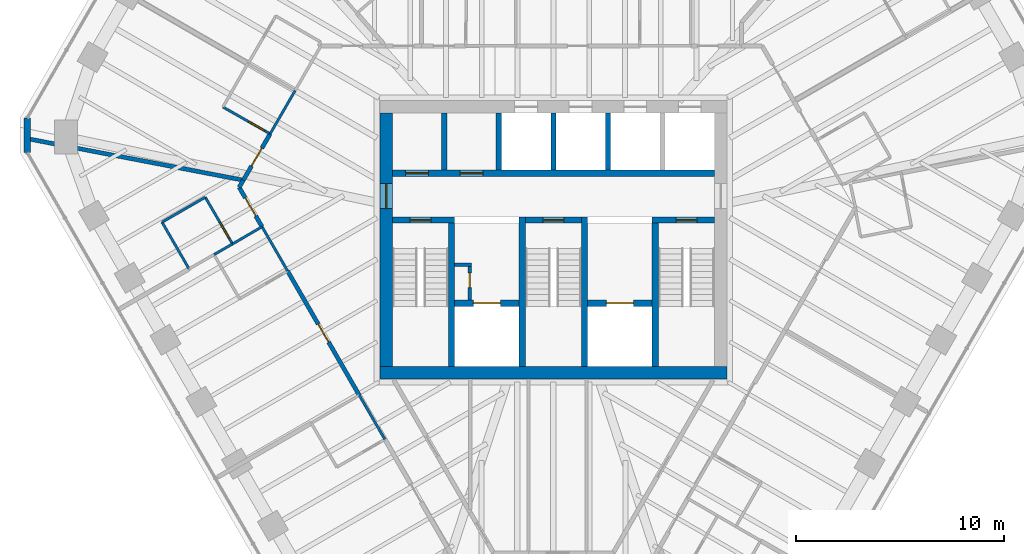
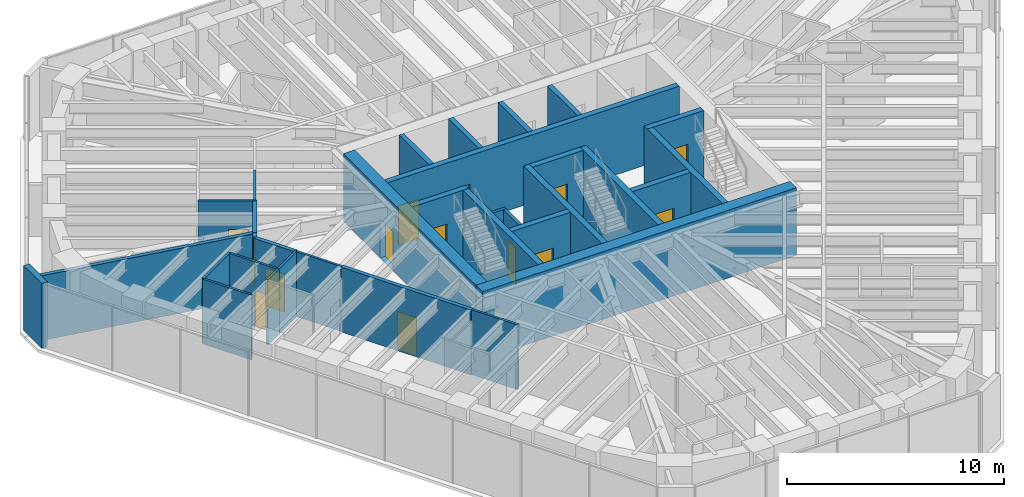
# One storey, part 10 of 14: 33 walls, 14 doors, 14 openings.
"""IFC4 building model written with IfcOpenShell, lengths in metres."""

from ifc_helpers import new_model, si_unit, direction, frame, frame_2d, origin, place, context, subcontext, project, spatial, rectangle, extrude, material, layer, layer_set, type_object, element, fill, save


model = new_model("IFC4")

# Units and contexts
model_context = context("Model", 3, precision=1e-05, world=origin(), true_north=direction((0.0, 1.0)))
body_context = subcontext(model_context, "Body", "Model", "MODEL_VIEW")
ifc_project = project(units=[si_unit("LENGTHUNIT", "METRE"), si_unit("AREAUNIT", "SQUARE_METRE"), si_unit("VOLUMEUNIT", "CUBIC_METRE"), si_unit("PLANEANGLEUNIT", "RADIAN"), si_unit("MASSUNIT", "GRAM", prefix="KILO")], contexts=[model_context])

# Site, building, storey
site_placement = place(None, origin())
site = spatial("IfcSite", under=ifc_project, at=site_placement, CompositionType="ELEMENT")
building_placement = place(site_placement, origin())
building = spatial("IfcBuilding", under=site, at=building_placement, Name="Sandreach Pilgrim Tower", CompositionType="ELEMENT")
storey_placement = place(building_placement, frame((0.0, 0.0, 268.39990234375)))
storey = spatial("IfcBuildingStorey", under=building, at=storey_placement, Name="L67", CompositionType="ELEMENT", Elevation=268.39990234375)

# Walls
ifc_material_1 = material(Name="Moisture-resistant gypsum board on steel studs", Category="steel")
ifc_layer_1 = layer(ifc_material_1, 0.1201171875)
ifc_layer_set_1 = layer_set([ifc_layer_1], Name="Bathroom partition 120")
wall_type_1 = type_object("IfcWallType", Name="Bathroom partition 120", PredefinedType="PARTITIONING", material=ifc_layer_set_1)
wall_1_placement = place(storey_placement, frame((-18.830078125, 0.85009765625, 0.0), z_axis=(0.0, 0.0, 1.0), x_axis=(0.50025099007, -0.865880446098, 0.0)))
element("IfcWall", 1, at=wall_1_placement, inside=storey, type_object=wall_type_1, Name="Bathroom partition L67-004", PredefinedType="PARTITIONING", context=body_context, shape_type="SweptSolid", body=[
    extrude(rectangle(XDim=2.598876953125, YDim=0.1201171875, at=frame_2d((1.29931640625, 0.0))), origin(), (0.0, 0.0, 1.0), 3.64013671875),
])
wall_2_placement = place(storey_placement, frame((-16.75, 2.050048828125, 0.0), z_axis=(0.0, 0.0, 1.0), x_axis=(-0.866202511239, -0.499693115345, 0.0)))
element("IfcWall", 2, at=wall_2_placement, inside=storey, type_object=wall_type_1, Name="Bathroom partition L67-007", PredefinedType="PARTITIONING", context=body_context, shape_type="SweptSolid", body=[
    extrude(rectangle(XDim=2.4013671875, YDim=0.1201171875, at=frame_2d((1.20068359375, 0.0))), origin(), (0.0, 0.0, 1.0), 3.64013671875),
])
wall_3_placement = place(storey_placement, frame((-16.330078125, -0.7099609375, 0.0), z_axis=(0.0, 0.0, 1.0), x_axis=(0.867671417222, 0.497138121387, 0.0)))
element("IfcWall", 3, at=wall_3_placement, inside=storey, type_object=wall_type_1, Name="Bathroom partition L67-008", PredefinedType="PARTITIONING", context=body_context, shape_type="SweptSolid", body=[
    extrude(rectangle(XDim=1.02587890625, YDim=0.1201171875, at=frame_2d((0.512939453125, 0.0))), origin(), (0.0, 0.0, 1.0), 3.64013671875),
])

# Wall, opening, door
wall_4_placement = place(storey_placement, frame((-15.89990234375, 6.389892578125, 0.0), z_axis=(0.0, 0.0, 1.0), x_axis=(0.869431908012, -0.494052787999, 0.0)))
wall_4 = element("IfcWall", 4, at=wall_4_placement, inside=storey, type_object=wall_type_1, Name="Bathroom partition L67-011", PredefinedType="PARTITIONING", context=body_context, shape_type="SweptSolid", body=[
    extrude(rectangle(XDim=2.610595703125, YDim=0.1201171875, at=frame_2d((1.30517578125, 0.0))), origin(), (0.0, 0.0, 1.0), 3.64013671875),
])
opening_1_placement = place(wall_4_placement, frame((1.410888671875, 0.0, 0.0)))
opening_1 = element("IfcOpeningElement", 5, at=opening_1_placement, cuts=wall_4, Name="Opening D09-16B", PredefinedType="OPENING", context=body_context, shape_type="SweptSolid", body=[
    extrude(rectangle(XDim=0.89990234375, YDim=2.030029296875, at=frame_2d((0.449951171875, 1.01513671875))), frame((0.0, 0.06005859375, 0.0), z_axis=(0.0, -1.0, 0.0), x_axis=(1.0, 0.0, 0.0)), (0.0, 0.0, 1.0), 0.1201171875),
])
ifc_material_2 = material(Name="Timber door, steel frame", Category="steel")
door_type_1 = type_object("IfcDoorType", Name="Bathroom door", OperationType="SINGLE_SWING_LEFT", PredefinedType="DOOR", material=ifc_material_2)
door_1_placement = place(opening_1_placement, origin())
door_1 = element("IfcDoor", 6, at=door_1_placement, inside=storey, type_object=door_type_1, Name="Door 6716B", OperationType="SINGLE_SWING_RIGHT", OverallHeight=2.030029296875, OverallWidth=0.89990234375, PredefinedType="DOOR", context=body_context, shape_type="SweptSolid", body=[
    extrude(rectangle(XDim=0.89990234375, YDim=2.030029296875, at=frame_2d((0.449951171875, 1.01513671875))), frame((0.0, 0.02490234375, 0.0), z_axis=(0.0, -1.0, 0.0), x_axis=(1.0, 0.0, 0.0)), (0.0, 0.0, 1.0), 0.050048828125),
])
fill(opening_1, door_1)

wall_5_placement = place(storey_placement, frame((-15.43994140625, -0.199951171875, 0.0), z_axis=(0.0, 0.0, 1.0), x_axis=(-0.503171227198, 0.864186736834, 0.0)))
wall_5 = element("IfcWall", 7, at=wall_5_placement, inside=storey, type_object=wall_type_1, Name="Bathroom partition L67-012", PredefinedType="PARTITIONING", context=body_context, shape_type="SweptSolid", body=[
    extrude(rectangle(XDim=2.603515625, YDim=0.1201171875, at=frame_2d((1.3017578125, 0.0))), origin(), (0.0, 0.0, 1.0), 3.64013671875),
])
opening_2_placement = place(wall_5_placement, frame((0.300048828125, 0.0, 0.0)))
opening_2 = element("IfcOpeningElement", 8, at=opening_2_placement, cuts=wall_5, Name="Opening D09-15B", PredefinedType="OPENING", context=body_context, shape_type="SweptSolid", body=[
    extrude(rectangle(XDim=0.89990234375, YDim=2.030029296875, at=frame_2d((0.449951171875, 1.01513671875))), frame((0.0, 0.06005859375, 0.0), z_axis=(0.0, -1.0, 0.0), x_axis=(1.0, 0.0, 0.0)), (0.0, 0.0, 1.0), 0.1201171875),
])
door_2_placement = place(opening_2_placement, origin())
door_2 = element("IfcDoor", 9, at=door_2_placement, inside=storey, type_object=door_type_1, Name="Door 6715B", OperationType="SINGLE_SWING_LEFT", OverallHeight=2.030029296875, OverallWidth=0.89990234375, PredefinedType="DOOR", context=body_context, shape_type="SweptSolid", body=[
    extrude(rectangle(XDim=0.89990234375, YDim=2.030029296875, at=frame_2d((0.449951171875, 1.01513671875))), frame((0.0, 0.02490234375, 0.0), z_axis=(0.0, -1.0, 0.0), x_axis=(1.0, 0.0, 0.0)), (0.0, 0.0, 1.0), 0.050048828125),
])
fill(opening_2, door_2)

# Walls
wall_6_placement = place(storey_placement, frame((-15.43994140625, -0.199951171875, 0.0), z_axis=(0.0, 0.0, 1.0), x_axis=(0.863304753898, 0.504682971673, 0.0)))
element("IfcWall", 10, at=wall_6_placement, inside=storey, type_object=wall_type_1, Name="Bathroom partition L67-013", PredefinedType="PARTITIONING", context=body_context, shape_type="SweptSolid", body=[
    extrude(rectangle(XDim=1.644775390625, YDim=0.1201171875, at=frame_2d((0.822265625, 0.0))), origin(), (0.0, 0.0, 1.0), 3.64013671875),
])
wall_7_placement = place(storey_placement, frame((-14.02001953125, 0.6298828125, 0.0), z_axis=(0.0, 0.0, 1.0), x_axis=(0.500089055364, -0.86597398154, 0.0)))
element("IfcWall", 11, at=wall_7_placement, inside=storey, type_object=wall_type_1, Name="Bathroom partition L67-020", PredefinedType="PARTITIONING", context=body_context, shape_type="SweptSolid", body=[
    extrude(rectangle(XDim=2.45947265625, YDim=0.1201171875, at=frame_2d((1.229736328125, 0.0))), origin(), (0.0, 0.0, 1.0), 3.64013671875),
])
wall_8_placement = place(storey_placement, frame((-13.6298828125, 5.10009765625, 0.0), z_axis=(0.0, 0.0, 1.0), x_axis=(0.499737123639, 0.866177122335, 0.0)))
element("IfcWall", 12, at=wall_8_placement, inside=storey, type_object=wall_type_1, Name="Bathroom partition L67-021", PredefinedType="PARTITIONING", context=body_context, shape_type="SweptSolid", body=[
    extrude(rectangle(XDim=2.401123046875, YDim=0.1201171875, at=frame_2d((1.20068359375, 0.0))), origin(), (0.0, 0.0, 1.0), 3.64013671875),
])
wall_9_placement = place(storey_placement, frame((-9.340087890625, -7.47998046875, 0.0), z_axis=(0.0, 0.0, 1.0), x_axis=(0.501813488763, -0.864975850817, 0.0)))
element("IfcWall", 13, at=wall_9_placement, inside=storey, type_object=wall_type_1, Name="Bathroom partition L67-034", PredefinedType="PARTITIONING", context=body_context, shape_type="SweptSolid", body=[
    extrude(rectangle(XDim=2.451171875, YDim=0.1201171875, at=frame_2d((1.2255859375, 0.0))), origin(), (0.0, 0.0, 1.0), 3.64013671875),
])
ifc_material_3 = material(Name="Concrete 10000 psi", Category="concrete")
ifc_layer_2 = layer(ifc_material_3, 0.300048828125)
ifc_layer_set_2 = layer_set([ifc_layer_2], Name="Core inner wall 300")
wall_type_2 = type_object("IfcWallType", Name="Core inner wall 300", PredefinedType="SHEAR", material=ifc_layer_set_2)
for number, where, z_axis, x_axis, name in (
    (14, (-4.89990234375, -6.10009765625, 0.0), (0.0, 0.0, 1.0), (0.0, 1.0, 0.0), "Core wall I0 L67"),
    (15, (-1.5, -6.10009765625, 0.0), (0.0, 0.0, 1.0), (0.0, 1.0, 0.0), "Core wall I1 L67"),
    (16, (1.5, -6.10009765625, 0.0), (0.0, 0.0, 1.0), (0.0, 1.0, 0.0), "Core wall I2 L67"),
    (17, (4.89990234375, -6.10009765625, 0.0), (0.0, 0.0, 1.0), (0.0, 1.0, 0.0), "Core wall I3 L67"),
):
    element("IfcWall", number, at=place(storey_placement, frame(where, z_axis=z_axis, x_axis=x_axis)), inside=storey, type_object=wall_type_2, Name=name, PredefinedType="SHEAR", context=body_context, shape_type="SweptSolid", body=[
        extrude(rectangle(XDim=7.2001953125, YDim=0.300048828125, at=frame_2d((3.60009765625, 0.0))), origin(), (0.0, 0.0, 1.0), 3.800048828125),
    ])

# Wall, opening, door
wall_10_placement = place(storey_placement, frame((-7.75, 0.949951171875, 0.0), z_axis=(0.0, 0.0, 1.0), x_axis=(1.0, 0.0, 0.0)))
wall_10 = element("IfcWall", 18, at=wall_10_placement, inside=storey, type_object=wall_type_2, Name="Core wall SN1 L67", PredefinedType="SHEAR", context=body_context, shape_type="SweptSolid", body=[
    extrude(rectangle(XDim=3.0, YDim=0.300048828125, at=frame_2d((1.5, 0.0))), origin(), (0.0, 0.0, 1.0), 3.800048828125),
])
opening_3_placement = place(wall_10_placement, frame((0.85009765625, 0.0, 0.0)))
opening_3 = element("IfcOpeningElement", 19, at=opening_3_placement, cuts=wall_10, Name="Opening D10S-ST1", PredefinedType="OPENING", context=body_context, shape_type="SweptSolid", body=[
    extrude(rectangle(XDim=1.0, YDim=2.199951171875, at=frame_2d((0.5, 1.10009765625))), frame((0.0, 0.14990234375, 0.0), z_axis=(0.0, -1.0, 0.0), x_axis=(1.0, 0.0, 0.0)), (0.0, 0.0, 1.0), 0.300048828125),
])
ifc_material_4 = material(Name="Steel door and frame", Category="steel")
door_type_2 = type_object("IfcDoorType", Name="Stair door", OperationType="SINGLE_SWING_LEFT", PredefinedType="DOOR", material=ifc_material_4)
door_3_placement = place(opening_3_placement, origin())
door_3 = element("IfcDoor", 20, at=door_3_placement, inside=storey, type_object=door_type_2, Name="Stair door ST1 L67", OperationType="SINGLE_SWING_LEFT", OverallHeight=2.199951171875, OverallWidth=1.0, PredefinedType="DOOR", context=body_context, shape_type="SweptSolid", body=[
    extrude(rectangle(XDim=1.0, YDim=2.199951171875, at=frame_2d((0.5, 1.10009765625))), frame((0.0, 0.02490234375, 0.0), z_axis=(0.0, -1.0, 0.0), x_axis=(1.0, 0.0, 0.0)), (0.0, 0.0, 1.0), 0.050048828125),
])
fill(opening_3, door_3)

wall_11_placement = place(storey_placement, frame((-1.35009765625, 0.949951171875, 0.0), z_axis=(0.0, 0.0, 1.0), x_axis=(1.0, 0.0, 0.0)))
wall_11 = element("IfcWall", 21, at=wall_11_placement, inside=storey, type_object=wall_type_2, Name="Core wall SN3 L67", PredefinedType="SHEAR", context=body_context, shape_type="SweptSolid", body=[
    extrude(rectangle(XDim=2.7001953125, YDim=0.300048828125, at=frame_2d((1.35009765625, 0.0))), origin(), (0.0, 0.0, 1.0), 3.800048828125),
])
opening_4_placement = place(wall_11_placement, frame((0.85009765625, 0.0, 0.0)))
opening_4 = element("IfcOpeningElement", 22, at=opening_4_placement, cuts=wall_11, Name="Opening D10S-ST3", PredefinedType="OPENING", context=body_context, shape_type="SweptSolid", body=[
    extrude(rectangle(XDim=1.0, YDim=2.199951171875, at=frame_2d((0.5, 1.10009765625))), frame((0.0, 0.14990234375, 0.0), z_axis=(0.0, -1.0, 0.0), x_axis=(1.0, 0.0, 0.0)), (0.0, 0.0, 1.0), 0.300048828125),
])
door_4_placement = place(opening_4_placement, origin())
door_4 = element("IfcDoor", 23, at=door_4_placement, inside=storey, type_object=door_type_2, Name="Stair door ST3 L67", OperationType="SINGLE_SWING_LEFT", OverallHeight=2.199951171875, OverallWidth=1.0, PredefinedType="DOOR", context=body_context, shape_type="SweptSolid", body=[
    extrude(rectangle(XDim=1.0, YDim=2.199951171875, at=frame_2d((0.5, 1.10009765625))), frame((0.0, 0.02490234375, 0.0), z_axis=(0.0, -1.0, 0.0), x_axis=(1.0, 0.0, 0.0)), (0.0, 0.0, 1.0), 0.050048828125),
])
fill(opening_4, door_4)

wall_12_placement = place(storey_placement, frame((4.75, 0.949951171875, 0.0), z_axis=(0.0, 0.0, 1.0), x_axis=(1.0, 0.0, 0.0)))
wall_12 = element("IfcWall", 24, at=wall_12_placement, inside=storey, type_object=wall_type_2, Name="Core wall SN2 L67", PredefinedType="SHEAR", context=body_context, shape_type="SweptSolid", body=[
    extrude(rectangle(XDim=3.0, YDim=0.300048828125, at=frame_2d((1.5, 0.0))), origin(), (0.0, 0.0, 1.0), 3.800048828125),
])
opening_5_placement = place(wall_12_placement, frame((1.14990234375, 0.0, 0.0)))
opening_5 = element("IfcOpeningElement", 25, at=opening_5_placement, cuts=wall_12, Name="Opening D10S-ST2", PredefinedType="OPENING", context=body_context, shape_type="SweptSolid", body=[
    extrude(rectangle(XDim=1.0, YDim=2.199951171875, at=frame_2d((0.5, 1.10009765625))), frame((0.0, 0.14990234375, 0.0), z_axis=(0.0, -1.0, 0.0), x_axis=(1.0, 0.0, 0.0)), (0.0, 0.0, 1.0), 0.300048828125),
])
door_5_placement = place(opening_5_placement, origin())
door_5 = element("IfcDoor", 26, at=door_5_placement, inside=storey, type_object=door_type_2, Name="Stair door ST2 L67", OperationType="SINGLE_SWING_RIGHT", OverallHeight=2.199951171875, OverallWidth=1.0, PredefinedType="DOOR", context=body_context, shape_type="SweptSolid", body=[
    extrude(rectangle(XDim=1.0, YDim=2.199951171875, at=frame_2d((0.5, 1.10009765625))), frame((0.0, 0.02490234375, 0.0), z_axis=(0.0, -1.0, 0.0), x_axis=(1.0, 0.0, 0.0)), (0.0, 0.0, 1.0), 0.050048828125),
])
fill(opening_5, door_5)

wall_13_placement = place(storey_placement, frame((-4.75, -3.050048828125, 0.0), z_axis=(0.0, 0.0, 1.0), x_axis=(1.0, 0.0, 0.0)))
wall_13 = element("IfcWall", 27, at=wall_13_placement, inside=storey, type_object=wall_type_2, Name="Core wall FL1 L67", PredefinedType="SHEAR", context=body_context, shape_type="SweptSolid", body=[
    extrude(rectangle(XDim=3.10009765625, YDim=0.300048828125, at=frame_2d((1.550048828125, 0.0))), origin(), (0.0, 0.0, 1.0), 3.800048828125),
])
opening_6_placement = place(wall_13_placement, frame((0.89990234375, 0.0, 0.0)))
opening_6 = element("IfcOpeningElement", 28, at=opening_6_placement, cuts=wall_13, Name="Opening LD13", PredefinedType="OPENING", context=body_context, shape_type="SweptSolid", body=[
    extrude(rectangle(XDim=1.300048828125, YDim=2.10009765625, at=frame_2d((0.64990234375, 1.050048828125))), frame((0.0, 0.14990234375, 0.0), z_axis=(0.0, -1.0, 0.0), x_axis=(1.0, 0.0, 0.0)), (0.0, 0.0, 1.0), 0.300048828125),
])
ifc_material_5 = material(Name="Steel door and frame", Category="steel")
door_type_3 = type_object("IfcDoorType", Name="Fire service lift landing door", OperationType="DOUBLE_DOOR_SLIDING", PredefinedType="DOOR", material=ifc_material_5)
door_6_placement = place(opening_6_placement, origin())
door_6 = element("IfcDoor", 29, at=door_6_placement, inside=storey, type_object=door_type_3, Name="Lift landing door FS1 L67", OperationType="DOUBLE_DOOR_SLIDING", OverallHeight=2.10009765625, OverallWidth=1.300048828125, PredefinedType="DOOR", context=body_context, shape_type="SweptSolid", body=[
    extrude(rectangle(XDim=1.300048828125, YDim=2.10009765625, at=frame_2d((0.64990234375, 1.050048828125))), frame((0.0, 0.02490234375, 0.0), z_axis=(0.0, -1.0, 0.0), x_axis=(1.0, 0.0, 0.0)), (0.0, 0.0, 1.0), 0.050048828125),
])
fill(opening_6, door_6)

wall_14_placement = place(storey_placement, frame((1.64990234375, -3.050048828125, 0.0), z_axis=(0.0, 0.0, 1.0), x_axis=(1.0, 0.0, 0.0)))
wall_14 = element("IfcWall", 30, at=wall_14_placement, inside=storey, type_object=wall_type_2, Name="Core wall FL2 L67", PredefinedType="SHEAR", context=body_context, shape_type="SweptSolid", body=[
    extrude(rectangle(XDim=3.10009765625, YDim=0.300048828125, at=frame_2d((1.550048828125, 0.0))), origin(), (0.0, 0.0, 1.0), 3.800048828125),
])
opening_7_placement = place(wall_14_placement, frame((0.89990234375, 0.0, 0.0)))
opening_7 = element("IfcOpeningElement", 31, at=opening_7_placement, cuts=wall_14, Name="Opening LD13", PredefinedType="OPENING", context=body_context, shape_type="SweptSolid", body=[
    extrude(rectangle(XDim=1.300048828125, YDim=2.10009765625, at=frame_2d((0.64990234375, 1.050048828125))), frame((0.0, 0.14990234375, 0.0), z_axis=(0.0, -1.0, 0.0), x_axis=(1.0, 0.0, 0.0)), (0.0, 0.0, 1.0), 0.300048828125),
])
door_7_placement = place(opening_7_placement, origin())
door_7 = element("IfcDoor", 32, at=door_7_placement, inside=storey, type_object=door_type_3, Name="Lift landing door FS2 L67", OperationType="DOUBLE_DOOR_SLIDING", OverallHeight=2.10009765625, OverallWidth=1.300048828125, PredefinedType="DOOR", context=body_context, shape_type="SweptSolid", body=[
    extrude(rectangle(XDim=1.300048828125, YDim=2.10009765625, at=frame_2d((0.64990234375, 1.050048828125))), frame((0.0, 0.02490234375, 0.0), z_axis=(0.0, -1.0, 0.0), x_axis=(1.0, 0.0, 0.0)), (0.0, 0.0, 1.0), 0.050048828125),
])
fill(opening_7, door_7)

# Wall, openings, doors
wall_15_placement = place(storey_placement, frame((-7.75, 3.199951171875, 0.0), z_axis=(0.0, 0.0, 1.0), x_axis=(1.0, 0.0, 0.0)))
wall_15 = element("IfcWall", 33, at=wall_15_placement, inside=storey, type_object=wall_type_2, Name="Core wall PN L67", PredefinedType="SHEAR", context=body_context, shape_type="SweptSolid", body=[
    extrude(rectangle(XDim=15.5, YDim=0.300048828125, at=frame_2d((7.75, 0.0))), origin(), (0.0, 0.0, 1.0), 3.800048828125),
])
opening_8_placement = place(wall_15_placement, frame((0.637451171875, 0.0, 0.0)))
opening_8 = element("IfcOpeningElement", 34, at=opening_8_placement, cuts=wall_15, Name="Opening D11L", PredefinedType="OPENING", context=body_context, shape_type="SweptSolid", body=[
    extrude(rectangle(XDim=1.10009765625, YDim=2.199951171875, at=frame_2d((0.550048828125, 1.10009765625))), frame((0.0, 0.14990234375, 0.0), z_axis=(0.0, -1.0, 0.0), x_axis=(1.0, 0.0, 0.0)), (0.0, 0.0, 1.0), 0.300048828125),
])
opening_9_placement = place(wall_15_placement, frame((3.262451171875, 0.0, 0.0)))
opening_9 = element("IfcOpeningElement", 35, at=opening_9_placement, cuts=wall_15, Name="Opening D11L", PredefinedType="OPENING", context=body_context, shape_type="SweptSolid", body=[
    extrude(rectangle(XDim=1.10009765625, YDim=2.199951171875, at=frame_2d((0.550048828125, 1.10009765625))), frame((0.0, 0.14990234375, 0.0), z_axis=(0.0, -1.0, 0.0), x_axis=(1.0, 0.0, 0.0)), (0.0, 0.0, 1.0), 0.300048828125),
])
ifc_material_6 = material(Name="Steel door and frame, smoke seals", Category="steel")
door_type_4 = type_object("IfcDoorType", Name="Core room door", OperationType="SINGLE_SWING_LEFT", PredefinedType="DOOR", material=ifc_material_6)
door_8_placement = place(opening_8_placement, origin())
door_8 = element("IfcDoor", 36, at=door_8_placement, inside=storey, type_object=door_type_4, Name="Door butler pantry 67K1", OperationType="SINGLE_SWING_LEFT", OverallHeight=2.199951171875, OverallWidth=1.10009765625, PredefinedType="DOOR", context=body_context, shape_type="SweptSolid", body=[
    extrude(rectangle(XDim=1.10009765625, YDim=2.199951171875, at=frame_2d((0.550048828125, 1.10009765625))), frame((0.0, 0.02490234375, 0.0), z_axis=(0.0, -1.0, 0.0), x_axis=(1.0, 0.0, 0.0)), (0.0, 0.0, 1.0), 0.050048828125),
])
fill(opening_8, door_8)
door_9_placement = place(opening_9_placement, origin())
door_9 = element("IfcDoor", 37, at=door_9_placement, inside=storey, type_object=door_type_4, Name="Door storage room 67K2", OperationType="SINGLE_SWING_LEFT", OverallHeight=2.199951171875, OverallWidth=1.10009765625, PredefinedType="DOOR", context=body_context, shape_type="SweptSolid", body=[
    extrude(rectangle(XDim=1.10009765625, YDim=2.199951171875, at=frame_2d((0.550048828125, 1.10009765625))), frame((0.0, 0.02490234375, 0.0), z_axis=(0.0, -1.0, 0.0), x_axis=(1.0, 0.0, 0.0)), (0.0, 0.0, 1.0), 0.050048828125),
])
fill(opening_9, door_9)

# Wall
ifc_material_7 = material(Name="Concrete 10000 psi", Category="concrete")
ifc_layer_3 = layer(ifc_material_7, 0.60009765625)
ifc_layer_set_3 = layer_set([ifc_layer_3], Name="Core wall 600")
wall_type_3 = type_object("IfcWallType", Name="Core wall 600", PredefinedType="SHEAR", material=ifc_layer_set_3)
wall_16_placement = place(storey_placement, frame((-8.35009765625, -6.39990234375, 0.0), z_axis=(0.0, 0.0, 1.0), x_axis=(1.0, 0.0, 0.0)))
element("IfcWall", 38, at=wall_16_placement, inside=storey, type_object=wall_type_3, Name="Core wall S L67", PredefinedType="SHEAR", context=body_context, shape_type="SweptSolid", body=[
    extrude(rectangle(XDim=16.7001953125, YDim=0.60009765625, at=frame_2d((8.35009765625, 0.0))), origin(), (0.0, 0.0, 1.0), 3.800048828125),
])

# Wall, opening, door
wall_17_placement = place(storey_placement, frame((-8.050048828125, -6.10009765625, 0.0), z_axis=(0.0, 0.0, 1.0), x_axis=(0.0, 1.0, 0.0)))
wall_17 = element("IfcWall", 39, at=wall_17_placement, inside=storey, type_object=wall_type_3, Name="Core wall W L67", PredefinedType="SHEAR", context=body_context, shape_type="SweptSolid", body=[
    extrude(rectangle(XDim=12.2001953125, YDim=0.60009765625, at=frame_2d((6.10009765625, 0.0))), origin(), (0.0, 0.0, 1.0), 3.800048828125),
])
opening_10_placement = place(wall_17_placement, frame((7.60009765625, 0.0, 0.0)))
opening_10 = element("IfcOpeningElement", 40, at=opening_10_placement, cuts=wall_17, Name="Opening D12F-W", PredefinedType="OPENING", context=body_context, shape_type="SweptSolid", body=[
    extrude(rectangle(XDim=1.199951171875, YDim=2.199951171875, at=frame_2d((0.60009765625, 1.10009765625))), frame((0.0, 0.300048828125, 0.0), z_axis=(0.0, -1.0, 0.0), x_axis=(1.0, 0.0, 0.0)), (0.0, 0.0, 1.0), 0.60009765625),
])
ifc_material_8 = material(Name="Steel door and frame", Category="steel")
door_type_5 = type_object("IfcDoorType", Name="Fire lobby door", OperationType="SINGLE_SWING_LEFT", PredefinedType="DOOR", material=ifc_material_8)
door_10_placement = place(opening_10_placement, origin())
door_10 = element("IfcDoor", 41, at=door_10_placement, inside=storey, type_object=door_type_5, Name="Fire service lobby door W L67", OperationType="SINGLE_SWING_RIGHT", OverallHeight=2.199951171875, OverallWidth=1.199951171875, PredefinedType="DOOR", context=body_context, shape_type="SweptSolid", body=[
    extrude(rectangle(XDim=1.199951171875, YDim=2.199951171875, at=frame_2d((0.60009765625, 1.10009765625))), frame((0.0, 0.02490234375, 0.0), z_axis=(0.0, -1.0, 0.0), x_axis=(1.0, 0.0, 0.0)), (0.0, 0.0, 1.0), 0.050048828125),
])
fill(opening_10, door_10)

# Wall
ifc_material_9 = material(Name="Gypsum board on steel studs, two layers each side", Category="steel")
ifc_layer_4 = layer(ifc_material_9, 0.199951171875)
ifc_layer_set_4 = layer_set([ifc_layer_4], Name="Corridor wall 200")
wall_type_4 = type_object("IfcWallType", Name="Corridor wall 200", PredefinedType="PARTITIONING", material=ifc_layer_set_4)
wall_18_placement = place(storey_placement, frame((-15.1201171875, 2.530029296875, 0.0), z_axis=(0.0, 0.0, 1.0), x_axis=(0.507290461451, 0.861775137562, 0.0)))
element("IfcWall", 42, at=wall_18_placement, inside=storey, type_object=wall_type_4, Name="Corridor wall L67-014", PredefinedType="PARTITIONING", context=body_context, shape_type="SweptSolid", body=[
    extrude(rectangle(XDim=0.39453125, YDim=0.199951171875, at=frame_2d((0.197265625, 0.0))), origin(), (0.0, 0.0, 1.0), 3.64013671875),
])

# Wall, opening, door
wall_19_placement = place(storey_placement, frame((-15.1201171875, 2.530029296875, 0.0), z_axis=(0.0, 0.0, 1.0), x_axis=(0.501088872721, -0.865395829453, 0.0)))
wall_19 = element("IfcWall", 43, at=wall_19_placement, inside=storey, type_object=wall_type_4, Name="Corridor wall L67-015", PredefinedType="PARTITIONING", context=body_context, shape_type="SweptSolid", body=[
    extrude(rectangle(XDim=2.1953125, YDim=0.199951171875, at=frame_2d((1.09765625, 0.0))), origin(), (0.0, 0.0, 1.0), 3.64013671875),
])
opening_11_placement = place(wall_19_placement, frame((0.59765625, 0.0, 0.0)))
opening_11 = element("IfcOpeningElement", 44, at=opening_11_placement, cuts=wall_19, Name="Opening D10-15", PredefinedType="OPENING", context=body_context, shape_type="SweptSolid", body=[
    extrude(rectangle(XDim=1.0, YDim=2.1298828125, at=frame_2d((0.5, 1.06494140625))), frame((0.0, 0.10009765625, 0.0), z_axis=(0.0, -1.0, 0.0), x_axis=(1.0, 0.0, 0.0)), (0.0, 0.0, 1.0), 0.199951171875),
])
ifc_material_10 = material(Name="Steel door and frame", Category="steel")
door_type_6 = type_object("IfcDoorType", Name="Guest room entry door", OperationType="SINGLE_SWING_LEFT", PredefinedType="DOOR", material=ifc_material_10)
door_11_placement = place(opening_11_placement, origin())
door_11 = element("IfcDoor", 45, at=door_11_placement, inside=storey, type_object=door_type_6, Name="Door 6715", OperationType="SINGLE_SWING_LEFT", OverallHeight=2.1298828125, OverallWidth=1.0, PredefinedType="DOOR", context=body_context, shape_type="SweptSolid", body=[
    extrude(rectangle(XDim=1.0, YDim=2.1298828125, at=frame_2d((0.5, 1.06494140625))), frame((0.0, 0.02490234375, 0.0), z_axis=(0.0, -1.0, 0.0), x_axis=(1.0, 0.0, 0.0)), (0.0, 0.0, 1.0), 0.050048828125),
])
fill(opening_11, door_11)

wall_20_placement = place(storey_placement, frame((-14.919921875, 2.8701171875, 0.0), z_axis=(0.0, 0.0, 1.0), x_axis=(0.500714932888, 0.865612243434, 0.0)))
wall_20 = element("IfcWall", 46, at=wall_20_placement, inside=storey, type_object=wall_type_4, Name="Corridor wall L67-017", PredefinedType="PARTITIONING", context=body_context, shape_type="SweptSolid", body=[
    extrude(rectangle(XDim=2.575927734375, YDim=0.199951171875, at=frame_2d((1.2880859375, 0.0))), origin(), (0.0, 0.0, 1.0), 3.64013671875),
])
opening_12_placement = place(wall_20_placement, frame((0.7880859375, 0.0, 0.0)))
opening_12 = element("IfcOpeningElement", 47, at=opening_12_placement, cuts=wall_20, Name="Opening D10-16", PredefinedType="OPENING", context=body_context, shape_type="SweptSolid", body=[
    extrude(rectangle(XDim=1.0, YDim=2.1298828125, at=frame_2d((0.5, 1.06494140625))), frame((0.0, 0.10009765625, 0.0), z_axis=(0.0, -1.0, 0.0), x_axis=(1.0, 0.0, 0.0)), (0.0, 0.0, 1.0), 0.199951171875),
])
door_12_placement = place(opening_12_placement, origin())
door_12 = element("IfcDoor", 48, at=door_12_placement, inside=storey, type_object=door_type_6, Name="Door 6716", OperationType="SINGLE_SWING_LEFT", OverallHeight=2.1298828125, OverallWidth=1.0, PredefinedType="DOOR", context=body_context, shape_type="SweptSolid", body=[
    extrude(rectangle(XDim=1.0, YDim=2.1298828125, at=frame_2d((0.5, 1.06494140625))), frame((0.0, 0.02490234375, 0.0), z_axis=(0.0, -1.0, 0.0), x_axis=(1.0, 0.0, 0.0)), (0.0, 0.0, 1.0), 0.050048828125),
])
fill(opening_12, door_12)

wall_21_placement = place(storey_placement, frame((-12.7900390625, -1.5, 0.0), z_axis=(0.0, 0.0, 1.0), x_axis=(0.499718371597, -0.866187940974, 0.0)))
wall_21 = element("IfcWall", 49, at=wall_21_placement, inside=storey, type_object=wall_type_4, Name="Corridor wall L67-023", PredefinedType="PARTITIONING", context=body_context, shape_type="SweptSolid", body=[
    extrude(rectangle(XDim=6.90380859375, YDim=0.199951171875, at=frame_2d((3.451904296875, 0.0))), origin(), (0.0, 0.0, 1.0), 3.64013671875),
])
opening_13_placement = place(wall_21_placement, frame((2.951904296875, 0.0, 0.0)))
opening_13 = element("IfcOpeningElement", 50, at=opening_13_placement, cuts=wall_21, Name="Opening D10-14", PredefinedType="OPENING", context=body_context, shape_type="SweptSolid", body=[
    extrude(rectangle(XDim=1.0, YDim=2.1298828125, at=frame_2d((0.5, 1.06494140625))), frame((0.0, 0.10009765625, 0.0), z_axis=(0.0, -1.0, 0.0), x_axis=(1.0, 0.0, 0.0)), (0.0, 0.0, 1.0), 0.199951171875),
])
door_13_placement = place(opening_13_placement, origin())
door_13 = element("IfcDoor", 51, at=door_13_placement, inside=storey, type_object=door_type_6, Name="Door 6714", OperationType="SINGLE_SWING_LEFT", OverallHeight=2.1298828125, OverallWidth=1.0, PredefinedType="DOOR", context=body_context, shape_type="SweptSolid", body=[
    extrude(rectangle(XDim=1.0, YDim=2.1298828125, at=frame_2d((0.5, 1.06494140625))), frame((0.0, 0.02490234375, 0.0), z_axis=(0.0, -1.0, 0.0), x_axis=(1.0, 0.0, 0.0)), (0.0, 0.0, 1.0), 0.050048828125),
])
fill(opening_13, door_13)

# Wall
ifc_material_11 = material(Name="Double steel stud acoustic wall, gypsum board", Category="steel")
ifc_layer_5 = layer(ifc_material_11, 0.199951171875)
ifc_layer_set_5 = layer_set([ifc_layer_5], Name="Party wall 200")
wall_type_5 = type_object("IfcWallType", Name="Party wall 200", PredefinedType="PARTITIONING", material=ifc_layer_set_5)
wall_22_placement = place(storey_placement, frame((-25.340576171875, 4.874267578125, 0.0), z_axis=(0.0, 0.0, 1.0), x_axis=(0.982001168061, -0.188874841966, 0.0)))
element("IfcWall", 52, at=wall_22_placement, inside=storey, type_object=wall_type_5, Name="Party wall L67-001", PredefinedType="PARTITIONING", context=body_context, shape_type="SweptSolid", body=[
    extrude(rectangle(XDim=10.556640625, YDim=0.199951171875, at=frame_2d((5.2783203125, 0.0))), origin(), (0.0, 0.0, 1.0), 3.64013671875),
])

# Wall, opening, door
ifc_material_12 = material(Name="Gypsum shaft wall on steel studs, shaft liner board", Category="steel")
ifc_layer_6 = layer(ifc_material_12, 0.14990234375)
ifc_layer_set_6 = layer_set([ifc_layer_6], Name="Riser shaft wall 150")
wall_type_6 = type_object("IfcWallType", Name="Riser shaft wall 150", PredefinedType="PARTITIONING", material=ifc_layer_set_6)
wall_23_placement = place(storey_placement, frame((-4.02490234375, -2.89990234375, 0.0), z_axis=(0.0, 0.0, 1.0), x_axis=(0.0, 1.0, 0.0)))
wall_23 = element("IfcWall", 53, at=wall_23_placement, inside=storey, type_object=wall_type_6, Name="Riser partition L67 side", PredefinedType="PARTITIONING", context=body_context, shape_type="SweptSolid", body=[
    extrude(rectangle(XDim=1.77490234375, YDim=0.14990234375, at=frame_2d((0.887451171875, 0.0))), origin(), (0.0, 0.0, 1.0), 3.64013671875),
])
opening_14_placement = place(wall_23_placement, frame((0.60009765625, 0.0, 0.0)))
opening_14 = element("IfcOpeningElement", 54, at=opening_14_placement, cuts=wall_23, Name="Opening D07R", PredefinedType="OPENING", context=body_context, shape_type="SweptSolid", body=[
    extrude(rectangle(XDim=0.699951171875, YDim=2.10009765625, at=frame_2d((0.35009765625, 1.050048828125))), frame((0.0, 0.074951171875, 0.0), z_axis=(0.0, -1.0, 0.0), x_axis=(1.0, 0.0, 0.0)), (0.0, 0.0, 1.0), 0.14990234375),
])
ifc_material_13 = material(Name="Steel door and frame, smoke seals", Category="steel")
door_type_7 = type_object("IfcDoorType", Name="Riser access door", OperationType="SINGLE_SWING_RIGHT", PredefinedType="DOOR", material=ifc_material_13)
door_14_placement = place(opening_14_placement, origin())
door_14 = element("IfcDoor", 55, at=door_14_placement, inside=storey, type_object=door_type_7, Name="Door riser 67ER", OperationType="SINGLE_SWING_RIGHT", OverallHeight=2.10009765625, OverallWidth=0.699951171875, PredefinedType="DOOR", context=body_context, shape_type="SweptSolid", body=[
    extrude(rectangle(XDim=0.699951171875, YDim=2.10009765625, at=frame_2d((0.35009765625, 1.050048828125))), frame((0.0, 0.02490234375, 0.0), z_axis=(0.0, -1.0, 0.0), x_axis=(1.0, 0.0, 0.0)), (0.0, 0.0, 1.0), 0.050048828125),
])
fill(opening_14, door_14)

# Walls
wall_24_placement = place(storey_placement, frame((-4.75, -1.199951171875, 0.0), z_axis=(0.0, 0.0, 1.0), x_axis=(1.0, 0.0, 0.0)))
element("IfcWall", 56, at=wall_24_placement, inside=storey, type_object=wall_type_6, Name="Riser partition L67 front", PredefinedType="PARTITIONING", context=body_context, shape_type="SweptSolid", body=[
    extrude(rectangle(XDim=0.800048828125, YDim=0.14990234375, at=frame_2d((0.39990234375, 0.0))), origin(), (0.0, 0.0, 1.0), 3.64013671875),
])
ifc_material_14 = material(Name="Gypsum shaft wall on steel studs, two layers of shaft liner board", Category="steel")
ifc_layer_7 = layer(ifc_material_14, 0.25)
ifc_layer_set_7 = layer_set([ifc_layer_7], Name="Shaft partition 250")
wall_type_7 = type_object("IfcWallType", Name="Shaft partition 250", PredefinedType="PARTITIONING", material=ifc_layer_set_7)
for number, where, z_axis, x_axis, name in (
    (57, (-5.25, 3.35009765625, 0.0), (0.0, 0.0, 1.0), (0.0, 1.0, 0.0), "Shaft partition NS0 L67"),
    (58, (-2.625, 3.35009765625, 0.0), (0.0, 0.0, 1.0), (0.0, 1.0, 0.0), "Shaft partition NS1 L67"),
    (59, (0.0, 3.35009765625, 0.0), (0.0, 0.0, 1.0), (0.0, 1.0, 0.0), "Shaft partition NS2 L67"),
    (60, (2.625, 3.35009765625, 0.0), (0.0, 0.0, 1.0), (0.0, 1.0, 0.0), "Shaft partition NS3 L67"),
):
    element("IfcWall", number, at=place(storey_placement, frame(where, z_axis=z_axis, x_axis=x_axis)), inside=storey, type_object=wall_type_7, Name=name, PredefinedType="PARTITIONING", context=body_context, shape_type="SweptSolid", body=[
        extrude(rectangle(XDim=2.75, YDim=0.25, at=frame_2d((1.375, 0.0))), origin(), (0.0, 0.0, 1.0), 3.800048828125),
    ])
ifc_material_15 = material(Name="Terracotta rainscreen on concrete", Category="masonry")
ifc_layer_8 = layer(ifc_material_15, 0.300048828125)
ifc_layer_set_8 = layer_set([ifc_layer_8], Name="Terracotta chamfer pier")
wall_type_8 = type_object("IfcWallType", Name="Terracotta chamfer pier", PredefinedType="SOLIDWALL", material=ifc_layer_set_8)
wall_25_placement = place(storey_placement, frame((-25.3193359375, 4.20166015625, 0.0), z_axis=(0.0, 0.0, 1.0), x_axis=(0.0, 1.0, 0.0)))
element("IfcWall", 61, at=wall_25_placement, inside=storey, type_object=wall_type_8, Name="Chamfer pier L67 SW", PredefinedType="SOLIDWALL", context=body_context, shape_type="SweptSolid", body=[
    extrude(rectangle(XDim=1.659912109375, YDim=0.300048828125, at=frame_2d((0.830078125, 0.0))), origin(), (0.0, 0.0, 1.0), 3.64013671875),
])

save(model, "model.ifc")
